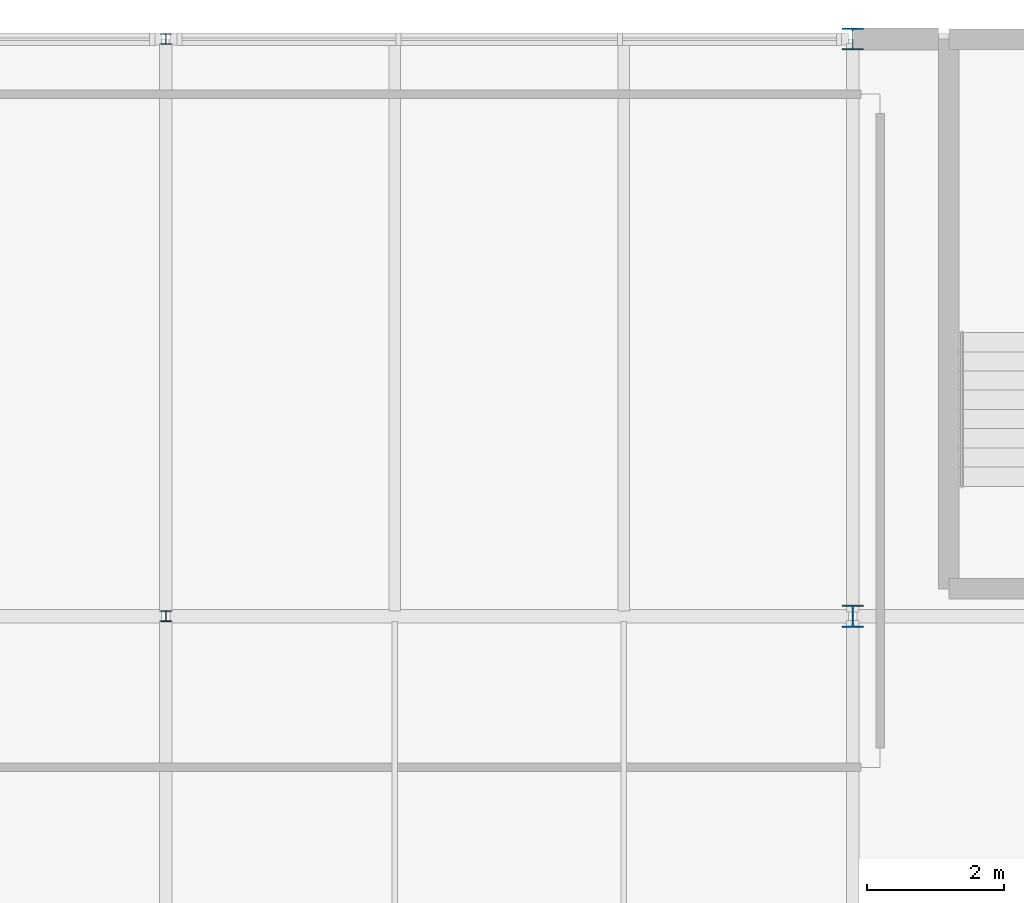
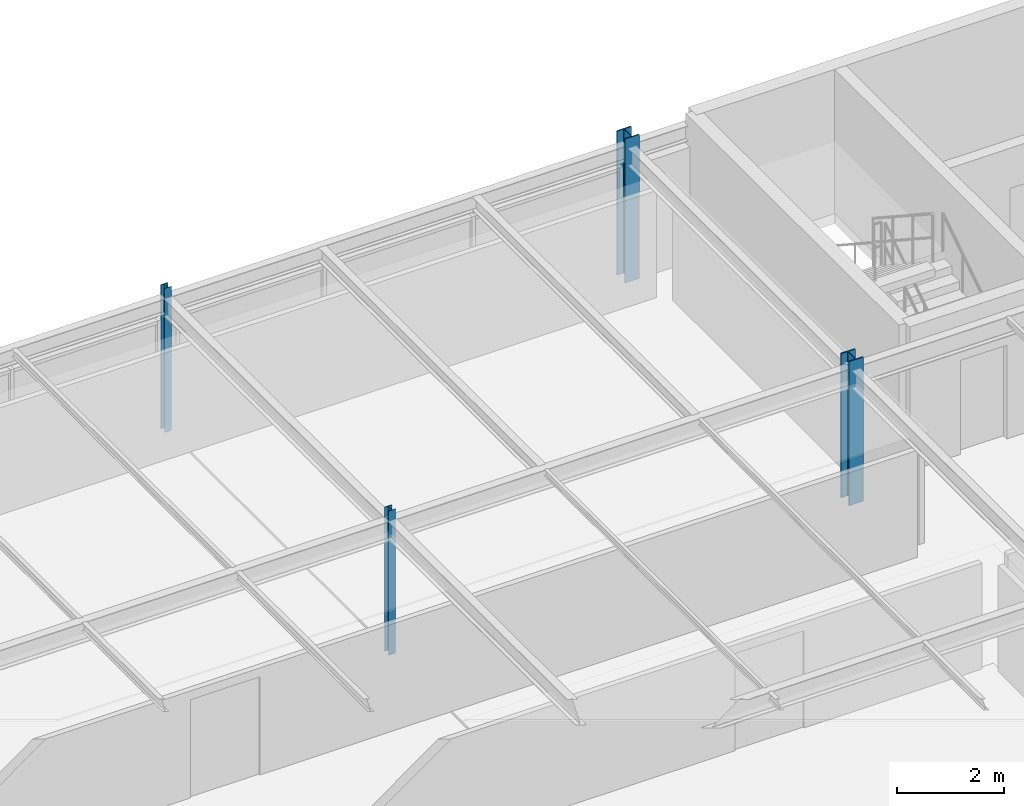
# One storey, part 7 of 23: 4 columns.
"""IFC4 building model written with IfcOpenShell, lengths in metres."""

from ifc_helpers import new_model, si_unit, derived_unit, direction, frame, origin, origin_2d_with_axis, place, context, subcontext, project, spatial, i_section, extrude, material, material_profile, profile_set, type_object, element, save


model = new_model("IFC4")

# Units and contexts
model_context = context("Model", 3, precision=1e-05, world=origin(), true_north=direction((0.0, 1.0)))
body_context = subcontext(model_context, "Body", "Model", "MODEL_VIEW")
ifc_project = project(units=[si_unit("LENGTHUNIT", "METRE"), si_unit("AREAUNIT", "SQUARE_METRE"), si_unit("VOLUMEUNIT", "CUBIC_METRE"), si_unit("PLANEANGLEUNIT", "RADIAN"), si_unit("MASSUNIT", "GRAM", prefix="KILO"), derived_unit("THERMALTRANSMITTANCEUNIT", [(si_unit("POWERUNIT", "WATT"), 1), (si_unit("LENGTHUNIT", "METRE"), -2), (si_unit("THERMODYNAMICTEMPERATUREUNIT", "KELVIN"), -1)])], contexts=[model_context])

# Site, building, storey
site_placement = place(None, origin())
site = spatial("IfcSite", under=ifc_project, at=site_placement, CompositionType="ELEMENT")
building_placement = place(site_placement, origin())
building = spatial("IfcBuilding", under=site, at=building_placement, Name="Cinnabar Yard Market Hall", CompositionType="ELEMENT")
storey_placement = place(building_placement, frame((0.0, 0.0, 12.0)))
storey = spatial("IfcBuildingStorey", under=building, at=storey_placement, Name="L03", CompositionType="ELEMENT", Elevation=12.0)

# Columns
ifc_material_1 = material(Name="Steel Grade 350 (350 MPa)", Category="steel")
ifc_material_profile_1 = material_profile(ifc_material_1, i_section(OverallWidth=0.311279296875, OverallDepth=0.3271484375, WebThickness=0.015625, FlangeThickness=0.02490234375, FilletRadius=0.0166015625, at=origin_2d_with_axis()), Name="310UC158")
ifc_profile_set_1 = profile_set([ifc_material_profile_1], Name="Steel Grade 350 (350 MPa)")
column_type_1 = type_object("IfcColumnType", Name="COL-C06", PredefinedType="COLUMN", material=ifc_profile_set_1)
column_1_placement = place(storey_placement, frame((126.0, 129.60009765625, 0.0), z_axis=(0.0, 0.0, 1.0), x_axis=(1.0, 0.0, 0.0)))
element("IfcColumn", 1, at=column_1_placement, inside=storey, type_object=column_type_1, Name="Wing Column V3-07-04 L03", PredefinedType="COLUMN", context=body_context, shape_type="SweptSolid", body=[
    extrude(i_section(OverallWidth=0.311279296875, OverallDepth=0.3271484375, WebThickness=0.015625, FlangeThickness=0.02490234375, FilletRadius=0.0166015625, at=origin_2d_with_axis()), origin(), (0.0, 0.0, 1.0), 3.300048828125),
])
ifc_material_profile_2 = material_profile(ifc_material_1, i_section(OverallWidth=0.30908203125, OverallDepth=0.320556640625, WebThickness=0.013916015625, FlangeThickness=0.021728515625, FilletRadius=0.0166015625, at=origin_2d_with_axis()), Name="310UC137")
ifc_profile_set_2 = profile_set([ifc_material_profile_2], Name="Steel Grade 350 (350 MPa)")
column_type_2 = type_object("IfcColumnType", Name="COL-C07E", PredefinedType="COLUMN", material=ifc_profile_set_2)
column_2_placement = place(storey_placement, frame((126.0, 138.0, 0.0), z_axis=(0.0, 0.0, 1.0), x_axis=(1.0, 0.0, 0.0)))
element("IfcColumn", 2, at=column_2_placement, inside=storey, type_object=column_type_2, Name="Wing Column V3-07-05 L03", PredefinedType="COLUMN", context=body_context, shape_type="SweptSolid", body=[
    extrude(i_section(OverallWidth=0.30908203125, OverallDepth=0.320556640625, WebThickness=0.013916015625, FlangeThickness=0.021728515625, FilletRadius=0.0166015625, at=origin_2d_with_axis()), origin(), (0.0, 0.0, 1.0), 3.300048828125),
])
ifc_material_2 = material(Name="Steel Grade 300 (300 MPa)", Category="steel")
ifc_material_profile_3 = material_profile(ifc_material_2, i_section(OverallWidth=0.15283203125, OverallDepth=0.15771484375, WebThickness=0.006591796875, FlangeThickness=0.009521484375, FilletRadius=0.0087890625, at=origin_2d_with_axis()), Name="150UC30.0")
ifc_profile_set_3 = profile_set([ifc_material_profile_3], Name="Steel Grade 300 (300 MPa)")
column_type_3 = type_object("IfcColumnType", Name="COL-C18", PredefinedType="COLUMN", material=ifc_profile_set_3)
column_3_placement = place(storey_placement, frame((116.0, 129.60009765625, 0.0), z_axis=(0.0, 0.0, 1.0), x_axis=(1.0, 0.0, 0.0)))
element("IfcColumn", 3, at=column_3_placement, inside=storey, type_object=column_type_3, Name="Wing Column V3-06-04 L03", PredefinedType="COLUMN", context=body_context, shape_type="SweptSolid", body=[
    extrude(i_section(OverallWidth=0.15283203125, OverallDepth=0.15771484375, WebThickness=0.006591796875, FlangeThickness=0.009521484375, FilletRadius=0.0087890625, at=origin_2d_with_axis()), origin(), (0.0, 0.0, 1.0), 3.300048828125),
])
ifc_material_profile_4 = material_profile(ifc_material_2, i_section(OverallWidth=0.152099609375, OverallDepth=0.15234375, WebThickness=0.005859375, FlangeThickness=0.0068359375, FilletRadius=0.0087890625, at=origin_2d_with_axis()), Name="150UC23.4")
ifc_profile_set_4 = profile_set([ifc_material_profile_4], Name="Steel Grade 300 (300 MPa)")
column_type_4 = type_object("IfcColumnType", Name="COL-C19E", PredefinedType="COLUMN", material=ifc_profile_set_4)
column_4_placement = place(storey_placement, frame((116.0, 138.0, 0.0), z_axis=(0.0, 0.0, 1.0), x_axis=(1.0, 0.0, 0.0)))
element("IfcColumn", 4, at=column_4_placement, inside=storey, type_object=column_type_4, Name="Wing Column V3-06-05 L03", PredefinedType="COLUMN", context=body_context, shape_type="SweptSolid", body=[
    extrude(i_section(OverallWidth=0.152099609375, OverallDepth=0.15234375, WebThickness=0.005859375, FlangeThickness=0.0068359375, FilletRadius=0.0087890625, at=origin_2d_with_axis()), origin(), (0.0, 0.0, 1.0), 3.300048828125),
])

save(model, "model.ifc")
